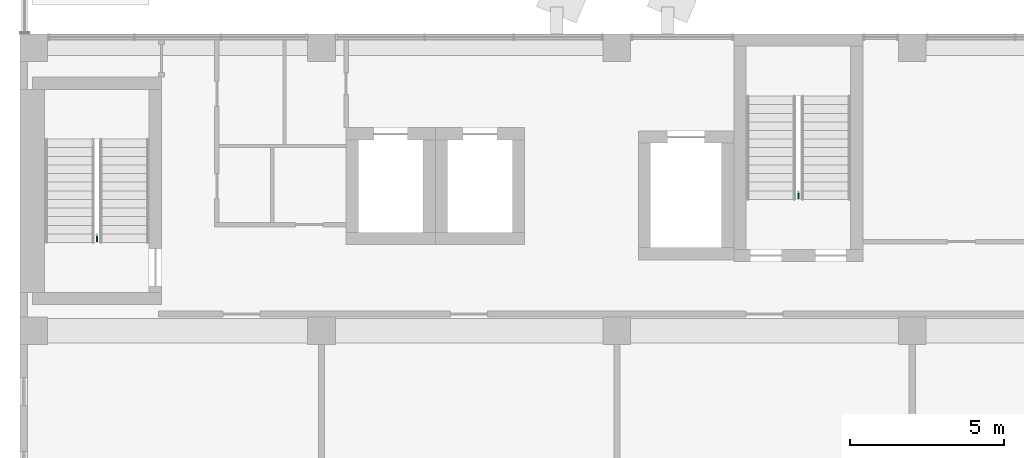
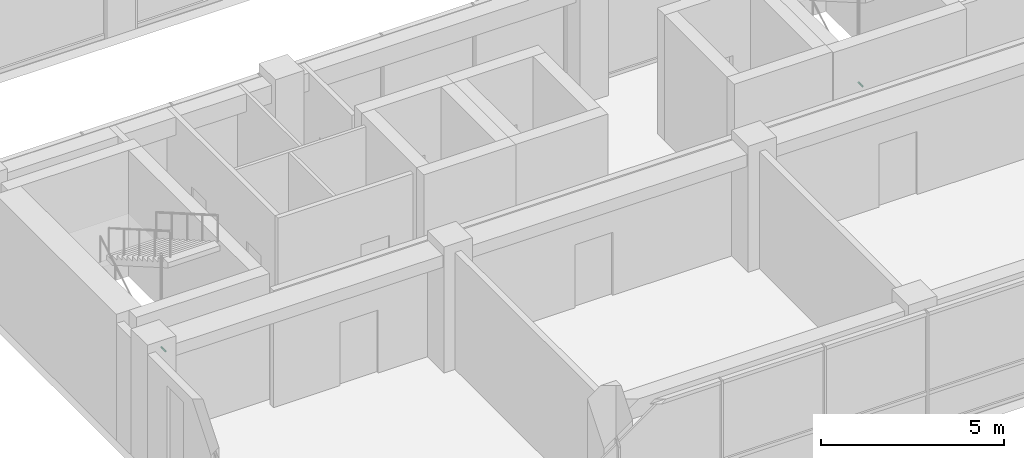
# One storey, part 35 of 36: 2 pipe fittings.
"""IFC4 building model written with IfcOpenShell, lengths in metres."""

from ifc_helpers import new_model, si_unit, direction, frame, origin, origin_2d, place, context, subcontext, project, spatial, circle, extrude, element, save


model = new_model("IFC4")

# Units and contexts
model_context = context("Model", 3, precision=1e-05, world=origin(), true_north=direction((0.0, 1.0)))
body_context = subcontext(model_context, "Body", "Model", "MODEL_VIEW")
ifc_project = project(units=[si_unit("LENGTHUNIT", "METRE"), si_unit("AREAUNIT", "SQUARE_METRE"), si_unit("VOLUMEUNIT", "CUBIC_METRE"), si_unit("PLANEANGLEUNIT", "RADIAN"), si_unit("MASSUNIT", "GRAM", prefix="KILO")], contexts=[model_context])

# Site, building, storey
site_placement = place(None, origin())
site = spatial("IfcSite", under=ifc_project, at=site_placement, CompositionType="ELEMENT")
building_placement = place(site_placement, origin())
building = spatial("IfcBuilding", under=site, at=building_placement, Name="Nzadi Deep Aquarium and Research Tower", CompositionType="ELEMENT")
storey_placement = place(building_placement, frame((0.0, 0.0, 36.10009765625)))
storey = spatial("IfcBuildingStorey", under=building, at=storey_placement, Name="L06", CompositionType="ELEMENT", Elevation=36.10009765625)

# Pipe fittings
for number, where, z_axis, x_axis, name in (
    (1, (2.300048828125, 12.320068359375, 1.099853515625), (0.0, -1.0, 0.0), (1.0, 0.0, 0.0), "Dry riser outlet ST-Z1-SW L06"),
    (2, (25.10009765625, 13.719970703125, 1.099853515625), (0.0, -1.0, 0.0), (1.0, 0.0, 0.0), "Dry riser outlet ST-Z1-SE L06"),
):
    element("IfcPipeFitting", number, at=place(storey_placement, frame(where, z_axis=z_axis, x_axis=x_axis)), inside=storey, Name=name, PredefinedType="EXIT", context=body_context, shape_type="SweptSolid", body=[
        extrude(circle(Radius=0.0224609375, at=origin_2d()), origin(), (0.0, 0.0, 1.0), 0.22998046875),
    ])

save(model, "model.ifc")
